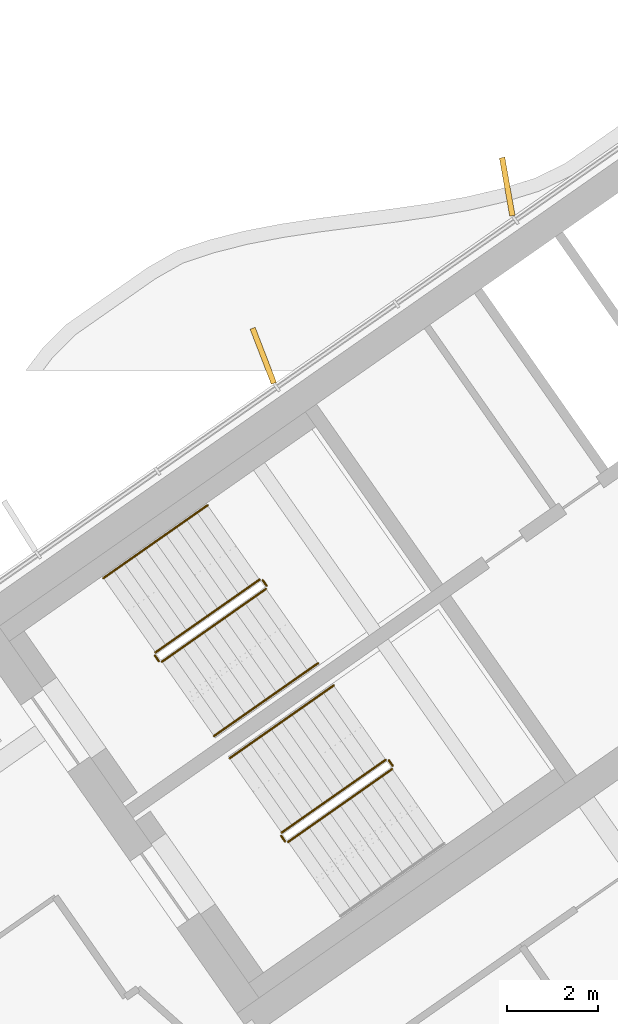
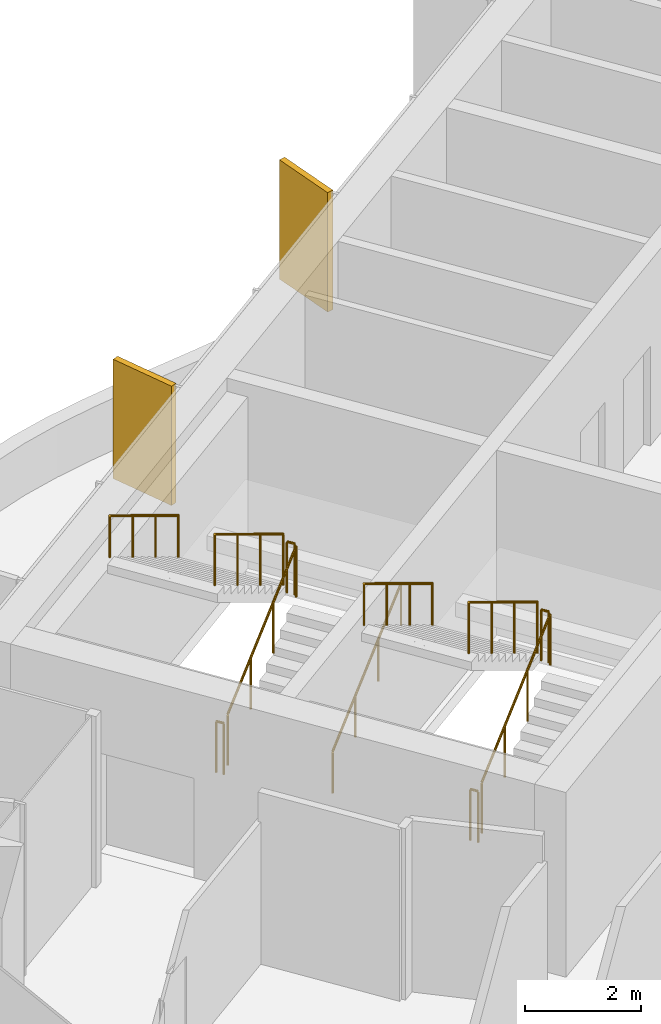
# One storey, part 17 of 20: 11 railings, 2 shading devices.
"""IFC4 building model written with IfcOpenShell, lengths in metres."""

from ifc_helpers import new_model, si_unit, direction, frame, origin, origin_2d, place, context, subcontext, project, spatial, rectangle, circle, extrude, material, layer, layer_set, type_object, element, save


model = new_model("IFC4")

# Units and contexts
model_context = context("Model", 3, precision=1e-05, world=origin(), true_north=direction((0.0, 1.0)))
body_context = subcontext(model_context, "Body", "Model", "MODEL_VIEW")
ifc_project = project(units=[si_unit("LENGTHUNIT", "METRE"), si_unit("AREAUNIT", "SQUARE_METRE"), si_unit("VOLUMEUNIT", "CUBIC_METRE"), si_unit("PLANEANGLEUNIT", "RADIAN"), si_unit("MASSUNIT", "GRAM", prefix="KILO")], contexts=[model_context])

# Site, building, storey
site_placement = place(None, origin())
site = spatial("IfcSite", under=ifc_project, at=site_placement, CompositionType="ELEMENT")
building_placement = place(site_placement, origin())
building = spatial("IfcBuilding", under=site, at=building_placement, Name="Tel Ilan Convention Tower", CompositionType="ELEMENT")
storey_placement = place(building_placement, frame((0.0, 0.0, 229.300048828125)))
storey = spatial("IfcBuildingStorey", under=building, at=storey_placement, Name="L53", CompositionType="ELEMENT", Elevation=229.300048828125)

# Shading devices
ifc_material_1 = material(Name="Aluminium, bronze anodised", Category="aluminium")
ifc_layer = layer(ifc_material_1, 0.1201171875)
ifc_layer_set = layer_set([ifc_layer], Name="FIN BRONZE 1300x120")
shading_device_type = type_object("IfcShadingDeviceType", Name="FIN BRONZE 1300x120", PredefinedType="USERDEFINED", material=ifc_layer_set)
for number, where, z_axis, x_axis, name in (
    (1, (-15.9228515625, 2.41845703125, 1.099853515625), (0.0, 0.0, 1.0), (-0.173648177667, 0.984807753012, 0.0), "FIN"),
    (2, (-21.302978515625, -1.31103515625, 1.099853515625), (0.0, 0.0, 1.0), (-0.360177724803, 0.932883704733, 0.0), "FIN"),
):
    element("IfcShadingDevice", number, at=place(storey_placement, frame(where, z_axis=z_axis, x_axis=x_axis)), inside=storey, type_object=shading_device_type, Name=name, ObjectType="FIN", PredefinedType="USERDEFINED", context=body_context, shape_type="SweptSolid", body=[
        extrude(rectangle(XDim=1.300048828125, YDim=0.1201171875, at=origin_2d()), origin(), (0.0, 0.0, 1.0), 2.52001953125),
    ])

# Railings
ifc_material_2 = material(Name="Stainless Steel Grade 316", Category="steel")
railing_type_1 = type_object("IfcRailingType", Name="Stainless Steel Stair Guard 1100 mm", PredefinedType="GUARDRAIL", material=ifc_material_2)
railing_1_placement = place(storey_placement, frame((-23.535400390625, -8.056396484375, 0.17724609375)))
element("IfcRailing", 3, at=railing_1_placement, inside=storey, type_object=railing_type_1, Name="L53 S1 stair guard 1", PredefinedType="GUARDRAIL", context=body_context, shape_type="SweptSolid", body=[
    extrude(circle(Radius=0.02392578125, at=origin_2d()), frame((0.0, 0.0, 1.076171875), z_axis=(0.692098378994, 0.484653031975, 0.534893701956), x_axis=(-0.573608623498, 0.819129505664, 0.0)), (0.0, 0.0, 1.0), 3.314208984375),
    extrude(circle(Radius=0.02099609375, at=origin_2d()), origin(), (0.0, 0.0, 1.0), 1.052001953125),
    extrude(circle(Radius=0.02099609375, at=origin_2d()), frame((0.7646484375, 0.535400390625, 0.5908203125)), (0.0, 0.0, 1.0), 1.052001953125),
    extrude(circle(Radius=0.02099609375, at=origin_2d()), frame((1.529052734375, 1.07080078125, 1.181884765625)), (0.0, 0.0, 1.0), 1.052001953125),
    extrude(circle(Radius=0.02099609375, at=origin_2d()), frame((2.293701171875, 1.606201171875, 1.772705078125)), (0.0, 0.0, 1.0), 1.052001953125),
])
railing_2_placement = place(storey_placement, frame((-21.2294921875, -6.380615234375, 1.949951171875)))
element("IfcRailing", 4, at=railing_2_placement, inside=storey, type_object=railing_type_1, Name="L53 S1 stair guard 2", PredefinedType="GUARDRAIL", context=body_context, shape_type="SweptSolid", body=[
    extrude(circle(Radius=0.02392578125, at=origin_2d()), frame((0.0, 0.0, 1.076171875), z_axis=(-0.573353020881, 0.819308436089, 0.0), x_axis=(-0.819308436089, -0.573353020881, 0.0)), (0.0, 0.0, 1.0), 0.14990234375),
    extrude(circle(Radius=0.02099609375, at=origin_2d()), origin(), (0.0, 0.0, 1.0), 1.052001953125),
    extrude(circle(Radius=0.02099609375, at=origin_2d()), frame((-0.0859375, 0.122802734375, 0.0)), (0.0, 0.0, 1.0), 1.052001953125),
])
railing_3_placement = place(storey_placement, frame((-21.38525390625, -6.24560546875, 2.127197265625)))
element("IfcRailing", 5, at=railing_3_placement, inside=storey, type_object=railing_type_1, Name="L53 S1 stair guard 3", PredefinedType="GUARDRAIL", context=body_context, shape_type="SweptSolid", body=[
    extrude(circle(Radius=0.02392578125, at=origin_2d()), frame((0.0, 0.0, 1.076171875), z_axis=(-0.692084706163, -0.484621375041, 0.534940073605), x_axis=(0.573591086599, -0.819141785879, 0.0)), (0.0, 0.0, 1.0), 3.313720703125),
    extrude(circle(Radius=0.02099609375, at=origin_2d()), origin(), (0.0, 0.0, 1.0), 1.052001953125),
    extrude(circle(Radius=0.02099609375, at=origin_2d()), frame((-0.764404296875, -0.535400390625, 0.5908203125)), (0.0, 0.0, 1.0), 1.052001953125),
    extrude(circle(Radius=0.02099609375, at=origin_2d()), frame((-1.529052734375, -1.070556640625, 1.181884765625)), (0.0, 0.0, 1.0), 1.052001953125),
    extrude(circle(Radius=0.02099609375, at=origin_2d()), frame((-2.29345703125, -1.60595703125, 1.772705078125)), (0.0, 0.0, 1.0), 1.052001953125),
])
railing_4_placement = place(storey_placement, frame((-23.60498046875, -8.0439453125, 0.0)))
element("IfcRailing", 6, at=railing_4_placement, inside=storey, type_object=railing_type_1, Name="L53 S1 stair guard 4", PredefinedType="GUARDRAIL", context=body_context, shape_type="SweptSolid", body=[
    extrude(circle(Radius=0.02392578125, at=origin_2d()), frame((0.0, 0.0, 1.076171875), z_axis=(-0.574444878118, 0.818543268254, 0.0), x_axis=(-0.818543268254, -0.574444878118, 0.0)), (0.0, 0.0, 1.0), 0.150146484375),
    extrude(circle(Radius=0.02099609375, at=origin_2d()), origin(), (0.0, 0.0, 1.0), 1.052001953125),
    extrude(circle(Radius=0.02099609375, at=origin_2d()), frame((-0.086181640625, 0.122802734375, 0.0)), (0.0, 0.0, 1.0), 1.052001953125),
])
railing_5_placement = place(storey_placement, frame((-20.753662109375, -12.029296875, 0.17724609375)))
element("IfcRailing", 7, at=railing_5_placement, inside=storey, type_object=railing_type_1, Name="L53 S2 stair guard 1", PredefinedType="GUARDRAIL", context=body_context, shape_type="SweptSolid", body=[
    extrude(circle(Radius=0.02392578125, at=origin_2d()), frame((0.0, 0.0, 1.076171875), z_axis=(0.692098378994, 0.484653031975, 0.534893701956), x_axis=(-0.573608623498, 0.819129505664, 0.0)), (0.0, 0.0, 1.0), 3.314208984375),
    extrude(circle(Radius=0.02099609375, at=origin_2d()), origin(), (0.0, 0.0, 1.0), 1.052001953125),
    extrude(circle(Radius=0.02099609375, at=origin_2d()), frame((0.7646484375, 0.535400390625, 0.5908203125)), (0.0, 0.0, 1.0), 1.052001953125),
    extrude(circle(Radius=0.02099609375, at=origin_2d()), frame((1.529052734375, 1.07080078125, 1.181884765625)), (0.0, 0.0, 1.0), 1.052001953125),
    extrude(circle(Radius=0.02099609375, at=origin_2d()), frame((2.293701171875, 1.606201171875, 1.772705078125)), (0.0, 0.0, 1.0), 1.052001953125),
])
railing_6_placement = place(storey_placement, frame((-18.44775390625, -10.353515625, 1.949951171875)))
element("IfcRailing", 8, at=railing_6_placement, inside=storey, type_object=railing_type_1, Name="L53 S2 stair guard 2", PredefinedType="GUARDRAIL", context=body_context, shape_type="SweptSolid", body=[
    extrude(circle(Radius=0.02392578125, at=origin_2d()), frame((0.0, 0.0, 1.076171875), z_axis=(-0.573353020881, 0.819308436089, 0.0), x_axis=(-0.819308436089, -0.573353020881, 0.0)), (0.0, 0.0, 1.0), 0.14990234375),
    extrude(circle(Radius=0.02099609375, at=origin_2d()), origin(), (0.0, 0.0, 1.0), 1.052001953125),
    extrude(circle(Radius=0.02099609375, at=origin_2d()), frame((-0.0859375, 0.122802734375, 0.0)), (0.0, 0.0, 1.0), 1.052001953125),
])
railing_7_placement = place(storey_placement, frame((-18.603271484375, -10.218505859375, 2.127197265625)))
element("IfcRailing", 9, at=railing_7_placement, inside=storey, type_object=railing_type_1, Name="L53 S2 stair guard 3", PredefinedType="GUARDRAIL", context=body_context, shape_type="SweptSolid", body=[
    extrude(circle(Radius=0.02392578125, at=origin_2d()), frame((0.0, 0.0, 1.076171875), z_axis=(-0.692123088272, -0.484596665743, 0.534912798717), x_axis=(0.573550118428, -0.819170471667, 0.0)), (0.0, 0.0, 1.0), 3.31396484375),
    extrude(circle(Radius=0.02099609375, at=origin_2d()), origin(), (0.0, 0.0, 1.0), 1.052001953125),
    extrude(circle(Radius=0.02099609375, at=origin_2d()), frame((-0.7646484375, -0.535400390625, 0.5908203125)), (0.0, 0.0, 1.0), 1.052001953125),
    extrude(circle(Radius=0.02099609375, at=origin_2d()), frame((-1.529052734375, -1.070556640625, 1.181884765625)), (0.0, 0.0, 1.0), 1.052001953125),
    extrude(circle(Radius=0.02099609375, at=origin_2d()), frame((-2.293701171875, -1.60595703125, 1.772705078125)), (0.0, 0.0, 1.0), 1.052001953125),
])
railing_8_placement = place(storey_placement, frame((-20.8232421875, -12.016845703125, 0.0)))
element("IfcRailing", 10, at=railing_8_placement, inside=storey, type_object=railing_type_1, Name="L53 S2 stair guard 4", PredefinedType="GUARDRAIL", context=body_context, shape_type="SweptSolid", body=[
    extrude(circle(Radius=0.02392578125, at=origin_2d()), frame((0.0, 0.0, 1.076171875), z_axis=(-0.573353020881, 0.819308436089, 0.0), x_axis=(-0.819308436089, -0.573353020881, 0.0)), (0.0, 0.0, 1.0), 0.14990234375),
    extrude(circle(Radius=0.02099609375, at=origin_2d()), origin(), (0.0, 0.0, 1.0), 1.052001953125),
    extrude(circle(Radius=0.02099609375, at=origin_2d()), frame((-0.0859375, 0.122802734375, 0.0)), (0.0, 0.0, 1.0), 1.052001953125),
])
ifc_material_3 = material(Name="Stainless Steel Grade 316", Category="steel")
railing_type_2 = type_object("IfcRailingType", Name="Stainless Steel Stair Handrail 900 mm", PredefinedType="HANDRAIL", material=ifc_material_3)
railing_9_placement = place(storey_placement, frame((-22.38818359375, -9.694580078125, 0.17724609375)))
element("IfcRailing", 11, at=railing_9_placement, inside=storey, type_object=railing_type_2, Name="L53 S1 stair handrail 1", PredefinedType="HANDRAIL", context=body_context, shape_type="SweptSolid", body=[
    extrude(circle(Radius=0.02392578125, at=origin_2d()), frame((0.0, 0.0, 0.8759765625), z_axis=(0.692084706163, 0.484621375041, 0.534940073605), x_axis=(-0.573591086599, 0.819141785879, 0.0)), (0.0, 0.0, 1.0), 3.313720703125),
    extrude(circle(Radius=0.02099609375, at=origin_2d()), origin(), (0.0, 0.0, 1.0), 0.851806640625),
    extrude(circle(Radius=0.02099609375, at=origin_2d()), frame((0.764404296875, 0.535400390625, 0.5908203125)), (0.0, 0.0, 1.0), 0.851806640625),
    extrude(circle(Radius=0.02099609375, at=origin_2d()), frame((1.529052734375, 1.070556640625, 1.181884765625)), (0.0, 0.0, 1.0), 0.851806640625),
    extrude(circle(Radius=0.02099609375, at=origin_2d()), frame((2.29345703125, 1.60595703125, 1.772705078125)), (0.0, 0.0, 1.0), 0.851806640625),
])
for number, where, name in (
    (12, (-22.5322265625, -4.607177734375, 2.127197265625), "L53 S1 stair handrail 2"),
    (13, (-19.75048828125, -8.580078125, 2.127197265625), "L53 S2 stair handrail 2"),
):
    element("IfcRailing", number, at=place(storey_placement, frame(where)), inside=storey, type_object=railing_type_2, Name=name, PredefinedType="HANDRAIL", context=body_context, shape_type="SweptSolid", body=[
        extrude(circle(Radius=0.02392578125, at=origin_2d()), frame((0.0, 0.0, 0.8759765625), z_axis=(-0.692123088272, -0.484596665743, 0.534912798717), x_axis=(0.573550118428, -0.819170471667, 0.0)), (0.0, 0.0, 1.0), 3.31396484375),
        extrude(circle(Radius=0.02099609375, at=origin_2d()), origin(), (0.0, 0.0, 1.0), 0.851806640625),
        extrude(circle(Radius=0.02099609375, at=origin_2d()), frame((-0.7646484375, -0.535400390625, 0.5908203125)), (0.0, 0.0, 1.0), 0.851806640625),
        extrude(circle(Radius=0.02099609375, at=origin_2d()), frame((-1.529052734375, -1.070556640625, 1.181884765625)), (0.0, 0.0, 1.0), 0.851806640625),
        extrude(circle(Radius=0.02099609375, at=origin_2d()), frame((-2.293701171875, -1.60595703125, 1.772705078125)), (0.0, 0.0, 1.0), 0.851806640625),
    ])

save(model, "model.ifc")
